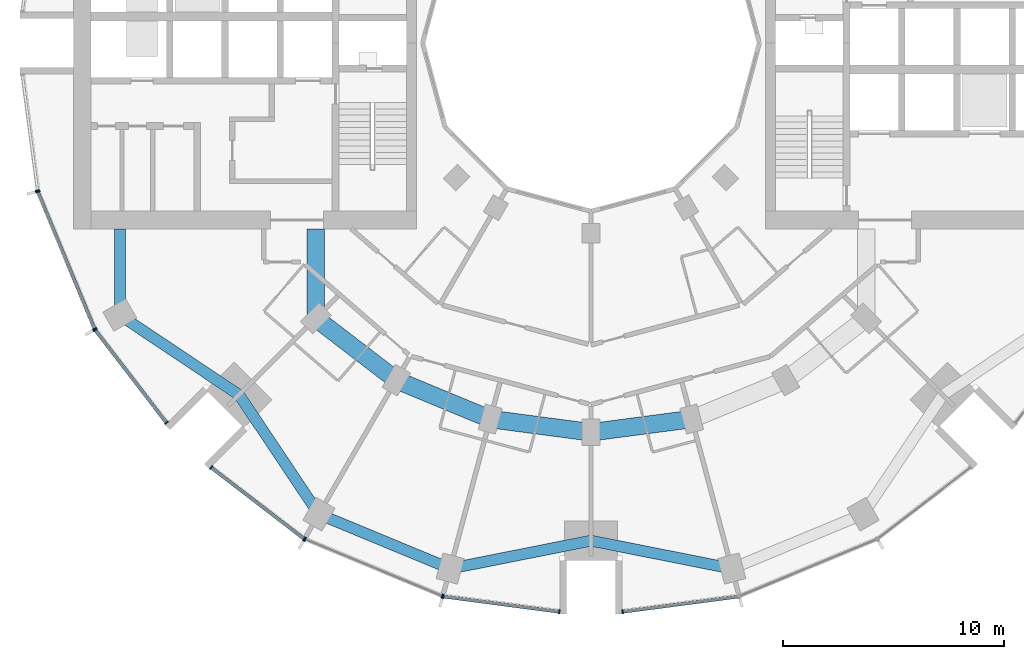
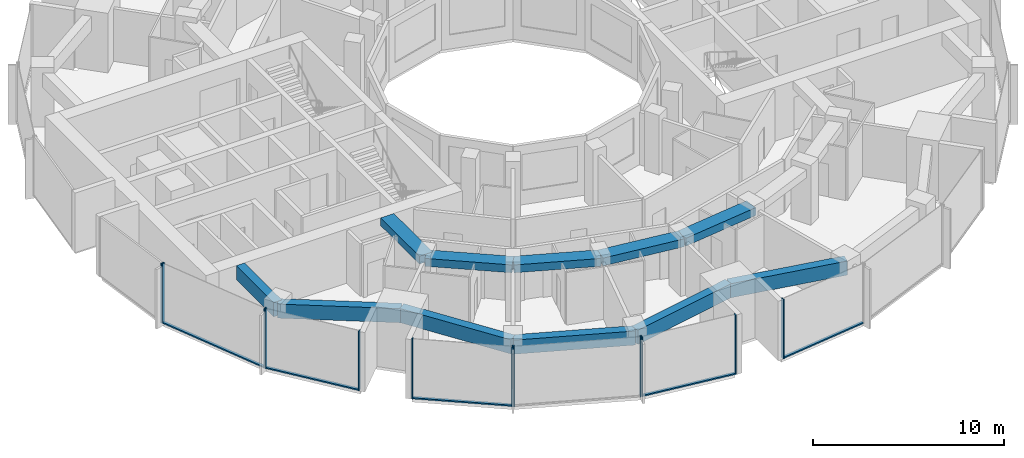
# One storey, part 2 of 15: 17 members, 11 beams, 7 elements without a shape of their own.
"""IFC4 building model written with IfcOpenShell, lengths in metres."""

from ifc_helpers import new_model, si_unit, direction, frame, origin, origin_2d, place, context, subcontext, project, spatial, rectangle, extrude, material, layer, layer_set, material_profile, profile_set, type_object, element, aggregate, save


model = new_model("IFC4")

# Units and contexts
model_context = context("Model", 3, precision=1e-05, world=origin(), true_north=direction((0.0, 1.0)))
body_context = subcontext(model_context, "Body", "Model", "MODEL_VIEW")
ifc_project = project(units=[si_unit("LENGTHUNIT", "METRE"), si_unit("AREAUNIT", "SQUARE_METRE"), si_unit("VOLUMEUNIT", "CUBIC_METRE"), si_unit("PLANEANGLEUNIT", "RADIAN"), si_unit("MASSUNIT", "GRAM", prefix="KILO")], contexts=[model_context])

# Site, building, storey
site_placement = place(None, origin())
site = spatial("IfcSite", under=ifc_project, at=site_placement, CompositionType="ELEMENT")
building_placement = place(site_placement, origin())
building = spatial("IfcBuilding", under=site, at=building_placement, Name="Torre Brocal", CompositionType="ELEMENT")
storey_placement = place(building_placement, frame((0.0, 0.0, 105.199951171875)))
storey = spatial("IfcBuildingStorey", under=building, at=storey_placement, Name="L24", CompositionType="ELEMENT", Elevation=105.199951171875)

# Curtain wall, members
ifc_material_1 = material(Name="Aluminium and glass", Category="aluminium")
ifc_layer_1 = layer(ifc_material_1, 0.199951171875)
ifc_layer_set_1 = layer_set([ifc_layer_1], Name="Aluminium and glass")
curtain_wall_type_1 = type_object("IfcCurtainWallType", Name="CW-1 CURTAIN WALL 3800 HIGH", PredefinedType="NOTDEFINED", material=ifc_layer_set_1)
curtain_wall_1_placement = place(storey_placement, origin())
curtain_wall_1 = element("IfcCurtainWall", 1, at=curtain_wall_1_placement, inside=storey, type_object=curtain_wall_type_1, Name="CW-1 RUN 14", PredefinedType="NOTDEFINED")
ifc_material_2 = material(Name="Aluminium, dark anodised", Category="aluminium")
ifc_material_profile_1 = material_profile(ifc_material_2, rectangle(XDim=0.199951171875, YDim=0.06005859375, at=origin_2d()), Name="CW-1 MULLION 60X200")
ifc_profile_set_1 = profile_set([ifc_material_profile_1], Name="Aluminium, dark anodised")
member_type_1 = type_object("IfcMemberType", Name="CW-1 MULLION 60X200", PredefinedType="MULLION", material=ifc_profile_set_1)
member_1_placement = place(storey_placement, frame((54.994873046875, 68.26904296875, 0.0), z_axis=(0.0, 0.0, 1.0), x_axis=(0.923879532525, 0.382683432333, 0.0)))
member_1 = element("IfcMember", 2, at=member_1_placement, type_object=member_type_1, Name="CW1-1 mullion 1", PredefinedType="MULLION", context=body_context, shape_type="SweptSolid", body=[
    extrude(rectangle(XDim=0.199951171875, YDim=0.06005859375, at=origin_2d()), origin(), (0.0, 0.0, 1.0), 3.800048828125),
])
member_2_placement = place(storey_placement, frame((57.559326171875, 62.078125, 0.0), z_axis=(0.0, 0.0, 1.0), x_axis=(0.923879532525, 0.382683432333, 0.0)))
member_2 = element("IfcMember", 3, at=member_2_placement, type_object=member_type_1, Name="CW1-1 mullion 2", PredefinedType="MULLION", context=body_context, shape_type="SweptSolid", body=[
    extrude(rectangle(XDim=0.199951171875, YDim=0.06005859375, at=origin_2d()), origin(), (0.0, 0.0, 1.0), 3.800048828125),
])

curtain_wall_2_placement = place(storey_placement, origin())
curtain_wall_2 = element("IfcCurtainWall", 4, at=curtain_wall_2_placement, inside=storey, type_object=curtain_wall_type_1, Name="CW-1 RUN 15", PredefinedType="NOTDEFINED")
member_3_placement = place(storey_placement, frame((57.5888671875, 62.026611328125, 0.0), z_axis=(0.0, 0.0, 1.0), x_axis=(0.793353340259, 0.60876142905, 0.0)))
member_3 = element("IfcMember", 5, at=member_3_placement, type_object=member_type_1, Name="CW1-1 mullion 1", PredefinedType="MULLION", context=body_context, shape_type="SweptSolid", body=[
    extrude(rectangle(XDim=0.199951171875, YDim=0.06005859375, at=origin_2d()), origin(), (0.0, 0.0, 1.0), 3.800048828125),
])
member_4_placement = place(storey_placement, frame((60.80859375, 57.83056640625, 0.0), z_axis=(0.0, 0.0, 1.0), x_axis=(0.793353340259, 0.60876142905, 0.0)))
member_4 = element("IfcMember", 6, at=member_4_placement, type_object=member_type_1, Name="CW1-1 mullion 2", PredefinedType="MULLION", context=body_context, shape_type="SweptSolid", body=[
    extrude(rectangle(XDim=0.199951171875, YDim=0.06005859375, at=origin_2d()), origin(), (0.0, 0.0, 1.0), 3.800048828125),
])

curtain_wall_3_placement = place(storey_placement, origin())
curtain_wall_3 = element("IfcCurtainWall", 7, at=curtain_wall_3_placement, inside=storey, type_object=curtain_wall_type_1, Name="CW-1 RUN 16", PredefinedType="NOTDEFINED")
member_5_placement = place(storey_placement, frame((62.83056640625, 55.80859375, 0.0), z_axis=(0.0, 0.0, 1.0), x_axis=(0.60876142905, 0.793353340259, 0.0)))
member_5 = element("IfcMember", 8, at=member_5_placement, type_object=member_type_1, Name="CW1-1 mullion 1", PredefinedType="MULLION", context=body_context, shape_type="SweptSolid", body=[
    extrude(rectangle(XDim=0.199951171875, YDim=0.06005859375, at=origin_2d()), origin(), (0.0, 0.0, 1.0), 3.800048828125),
])
member_6_placement = place(storey_placement, frame((67.026611328125, 52.5888671875, 0.0), z_axis=(0.0, 0.0, 1.0), x_axis=(0.60876142905, 0.793353340259, 0.0)))
member_6 = element("IfcMember", 9, at=member_6_placement, type_object=member_type_1, Name="CW1-1 mullion 2", PredefinedType="MULLION", context=body_context, shape_type="SweptSolid", body=[
    extrude(rectangle(XDim=0.199951171875, YDim=0.06005859375, at=origin_2d()), origin(), (0.0, 0.0, 1.0), 3.800048828125),
])

curtain_wall_4_placement = place(storey_placement, origin())
curtain_wall_4 = element("IfcCurtainWall", 10, at=curtain_wall_4_placement, inside=storey, type_object=curtain_wall_type_1, Name="CW-1 RUN 17", PredefinedType="NOTDEFINED")
member_7_placement = place(storey_placement, frame((67.078125, 52.559326171875, 0.0), z_axis=(0.0, 0.0, 1.0), x_axis=(0.382683432333, 0.923879532525, 0.0)))
member_7 = element("IfcMember", 11, at=member_7_placement, type_object=member_type_1, Name="CW1-1 mullion 1", PredefinedType="MULLION", context=body_context, shape_type="SweptSolid", body=[
    extrude(rectangle(XDim=0.199951171875, YDim=0.06005859375, at=origin_2d()), origin(), (0.0, 0.0, 1.0), 3.800048828125),
])
member_8_placement = place(storey_placement, frame((73.26904296875, 49.994873046875, 0.0), z_axis=(0.0, 0.0, 1.0), x_axis=(0.382683432333, 0.923879532525, 0.0)))
member_8 = element("IfcMember", 12, at=member_8_placement, type_object=member_type_1, Name="CW1-1 mullion 2", PredefinedType="MULLION", context=body_context, shape_type="SweptSolid", body=[
    extrude(rectangle(XDim=0.199951171875, YDim=0.06005859375, at=origin_2d()), origin(), (0.0, 0.0, 1.0), 3.800048828125),
])
aggregate(curtain_wall_4, [member_7, member_8])

curtain_wall_5_placement = place(storey_placement, origin())
curtain_wall_5 = element("IfcCurtainWall", 13, at=curtain_wall_5_placement, inside=storey, type_object=curtain_wall_type_1, Name="CW-1 RUN 18", PredefinedType="NOTDEFINED")
member_9_placement = place(storey_placement, frame((73.32666015625, 49.9794921875, 0.0), z_axis=(0.0, 0.0, 1.0), x_axis=(0.13052619222, 0.991444861374, 0.0)))
member_9 = element("IfcMember", 14, at=member_9_placement, type_object=member_type_1, Name="CW1-1 mullion 1", PredefinedType="MULLION", context=body_context, shape_type="SweptSolid", body=[
    extrude(rectangle(XDim=0.199951171875, YDim=0.06005859375, at=origin_2d()), origin(), (0.0, 0.0, 1.0), 3.800048828125),
])
member_10_placement = place(storey_placement, frame((78.5703125, 49.2890625, 0.0), z_axis=(0.0, 0.0, 1.0), x_axis=(0.13052619222, 0.991444861374, 0.0)))
member_10 = element("IfcMember", 15, at=member_10_placement, type_object=member_type_1, Name="CW1-1 mullion 2", PredefinedType="MULLION", context=body_context, shape_type="SweptSolid", body=[
    extrude(rectangle(XDim=0.199951171875, YDim=0.06005859375, at=origin_2d()), origin(), (0.0, 0.0, 1.0), 3.800048828125),
])

# Curtain wall, member
curtain_wall_6_placement = place(storey_placement, origin())
curtain_wall_6 = element("IfcCurtainWall", 16, at=curtain_wall_6_placement, inside=storey, type_object=curtain_wall_type_1, Name="CW-1 RUN 19", PredefinedType="NOTDEFINED")
member_11_placement = place(storey_placement, frame((81.4296875, 49.2890625, 0.0), z_axis=(0.0, 0.0, 1.0), x_axis=(-0.13052619222, 0.991444861374, 0.0)))
member_11 = element("IfcMember", 17, at=member_11_placement, type_object=member_type_1, Name="CW1-1 mullion 1", PredefinedType="MULLION", context=body_context, shape_type="SweptSolid", body=[
    extrude(rectangle(XDim=0.199951171875, YDim=0.06005859375, at=origin_2d()), origin(), (0.0, 0.0, 1.0), 3.800048828125),
])

# Member
ifc_material_3 = material(Name="Aluminium, dark anodised", Category="aluminium")
ifc_material_profile_2 = material_profile(ifc_material_3, rectangle(XDim=0.159912109375, YDim=0.080078125, at=origin_2d()), Name="CW-1 TRANSOM 160X80")
ifc_profile_set_2 = profile_set([ifc_material_profile_2], Name="Aluminium, dark anodised")
member_type_2 = type_object("IfcMemberType", Name="CW-1 TRANSOM 160X80", PredefinedType="USERDEFINED", material=ifc_profile_set_2)
member_12_placement = place(storey_placement, frame((55.00634765625, 68.241455078125, 0.0400390625), z_axis=(0.38266457234, -0.923887344364, 0.0), x_axis=(0.923887344364, 0.38266457234, 0.0)))
member_12 = element("IfcMember", 18, at=member_12_placement, type_object=member_type_2, Name="CW1-1 transom 1.1", ObjectType="TRANSOM", PredefinedType="USERDEFINED", context=body_context, shape_type="SweptSolid", body=[
    extrude(rectangle(XDim=0.159912109375, YDim=0.080078125, at=origin_2d()), origin(), (0.0, 0.0, 1.0), 6.640869140625),
])

aggregate(curtain_wall_1, [member_1, member_2, member_12])

member_13_placement = place(storey_placement, frame((57.607177734375, 62.0029296875, 0.0400390625), z_axis=(0.60874908096, -0.79336281513, 0.0), x_axis=(0.79336281513, 0.60874908096, 0.0)))
member_13 = element("IfcMember", 19, at=member_13_placement, type_object=member_type_2, Name="CW1-1 transom 1.1", ObjectType="TRANSOM", PredefinedType="USERDEFINED", context=body_context, shape_type="SweptSolid", body=[
    extrude(rectangle(XDim=0.159912109375, YDim=0.080078125, at=origin_2d()), origin(), (0.0, 0.0, 1.0), 5.22900390625),
])

aggregate(curtain_wall_2, [member_3, member_4, member_13])

member_14_placement = place(storey_placement, frame((62.8544921875, 55.790283203125, 0.0400390625), z_axis=(0.79336281513, -0.60874908096, 0.0), x_axis=(0.60874908096, 0.79336281513, 0.0)))
member_14 = element("IfcMember", 20, at=member_14_placement, type_object=member_type_2, Name="CW1-1 transom 1.1", ObjectType="TRANSOM", PredefinedType="USERDEFINED", context=body_context, shape_type="SweptSolid", body=[
    extrude(rectangle(XDim=0.159912109375, YDim=0.080078125, at=origin_2d()), origin(), (0.0, 0.0, 1.0), 5.22900390625),
])

aggregate(curtain_wall_3, [member_5, member_6, member_14])

member_15_placement = place(storey_placement, frame((73.356201171875, 49.9755859375, 0.0400390625), z_axis=(0.991442690863, -0.130542677827, 0.0), x_axis=(0.130542677827, 0.991442690863, 0.0)))
member_15 = element("IfcMember", 21, at=member_15_placement, type_object=member_type_2, Name="CW1-1 transom 1.1", ObjectType="TRANSOM", PredefinedType="USERDEFINED", context=body_context, shape_type="SweptSolid", body=[
    extrude(rectangle(XDim=0.159912109375, YDim=0.080078125, at=origin_2d()), origin(), (0.0, 0.0, 1.0), 5.22900390625),
])

aggregate(curtain_wall_5, [member_9, member_10, member_15])

member_16_placement = place(storey_placement, frame((81.45947265625, 49.29296875, 0.0400390625), z_axis=(0.991442690863, 0.130542677827, 0.0), x_axis=(-0.130542677827, 0.991442690863, 0.0)))
member_16 = element("IfcMember", 22, at=member_16_placement, type_object=member_type_2, Name="CW1-1 transom 1.1", ObjectType="TRANSOM", PredefinedType="USERDEFINED", context=body_context, shape_type="SweptSolid", body=[
    extrude(rectangle(XDim=0.159912109375, YDim=0.080078125, at=origin_2d()), origin(), (0.0, 0.0, 1.0), 5.22900390625),
])

aggregate(curtain_wall_6, [member_11, member_16])

# Curtain wall, member
ifc_material_4 = material(Name="Aluminium and glass", Category="aluminium")
ifc_layer_2 = layer(ifc_material_4, 0.199951171875)
ifc_layer_set_2 = layer_set([ifc_layer_2], Name="Aluminium and glass")
curtain_wall_type_2 = type_object("IfcCurtainWallType", Name="CW-1B CURTAIN WALL 3800 HIGH", PredefinedType="NOTDEFINED", material=ifc_layer_set_2)
curtain_wall_7_placement = place(storey_placement, origin())
curtain_wall_7 = element("IfcCurtainWall", 23, at=curtain_wall_7_placement, inside=storey, type_object=curtain_wall_type_2, Name="CW-1B RUN 13", PredefinedType="NOTDEFINED")
ifc_material_5 = material(Name="Aluminium, dark anodised", Category="aluminium")
ifc_material_profile_3 = material_profile(ifc_material_5, rectangle(XDim=0.199951171875, YDim=0.06005859375, at=origin_2d()), Name="CW-1B MULLION 60X200")
ifc_profile_set_3 = profile_set([ifc_material_profile_3], Name="Aluminium, dark anodised")
member_type_3 = type_object("IfcMemberType", Name="CW-1B MULLION 60X200", PredefinedType="MULLION", material=ifc_profile_set_3)
member_17_placement = place(storey_placement, frame((54.9794921875, 68.32666015625, 0.0), z_axis=(0.0, 0.0, 1.0), x_axis=(0.991444861374, 0.13052619222, 0.0)))
member_17 = element("IfcMember", 24, at=member_17_placement, type_object=member_type_3, Name="CW1B-1 mullion 2", PredefinedType="MULLION", context=body_context, shape_type="SweptSolid", body=[
    extrude(rectangle(XDim=0.199951171875, YDim=0.06005859375, at=origin_2d()), origin(), (0.0, 0.0, 1.0), 3.800048828125),
])
aggregate(curtain_wall_7, [member_17])

# Beams
ifc_material_6 = material(Name="Concrete C50", Category="concrete")
ifc_material_profile_4 = material_profile(ifc_material_6, rectangle(XDim=0.800048828125, YDim=0.5, at=origin_2d()), Name="RC 800X500")
ifc_profile_set_4 = profile_set([ifc_material_profile_4], Name="Concrete C50")
beam_type_1 = type_object("IfcBeamType", Name="RC BEAM 800X500 C50 TOP 3450", PredefinedType="BEAM", material=ifc_profile_set_4)
beam_1_placement = place(storey_placement, frame((67.554931640625, 62.554931640625, 3.199951171875), z_axis=(0.0, 1.0, 0.0), x_axis=(-1.0, 0.0, 0.0)))
element("IfcBeam", 25, at=beam_1_placement, inside=storey, type_object=beam_type_1, Name="Beam BT-25", PredefinedType="BEAM", context=body_context, shape_type="SweptSolid", body=[
    extrude(rectangle(XDim=0.800048828125, YDim=0.5, at=origin_2d()), origin(), (0.0, 0.0, 1.0), 4.045166015625),
])
beam_2_placement = place(storey_placement, frame((67.554931640625, 62.554931640625, 3.199951171875), z_axis=(0.793358265959, -0.6087550097, 0.0), x_axis=(0.6087550097, 0.793358265959, 0.0)))
element("IfcBeam", 26, at=beam_2_placement, inside=storey, type_object=beam_type_1, Name="Beam BT-25", PredefinedType="BEAM", context=body_context, shape_type="SweptSolid", body=[
    extrude(rectangle(XDim=0.800048828125, YDim=0.5, at=origin_2d()), origin(), (0.0, 0.0, 1.0), 4.594482421875),
])
beam_3_placement = place(storey_placement, frame((71.199951171875, 59.758056640625, 3.199951171875), z_axis=(0.923878240166, -0.382686552348, 0.0), x_axis=(0.382686552348, 0.923878240166, 0.0)))
element("IfcBeam", 27, at=beam_3_placement, inside=storey, type_object=beam_type_1, Name="Beam BT-25", PredefinedType="BEAM", context=body_context, shape_type="SweptSolid", body=[
    extrude(rectangle(XDim=0.800048828125, YDim=0.5, at=origin_2d()), origin(), (0.0, 0.0, 1.0), 4.5947265625),
])
for number, where, z_axis, x_axis, name in (
    (28, (75.44482421875, 57.999755859375, 3.199951171875), (0.991440544449, -0.130558978332, 0.0), (0.130558978332, 0.991440544449, 0.0), "Beam BT-25"),
    (29, (80.0, 57.39990234375, 3.199951171875), (0.991440544449, 0.130558978332, 0.0), (-0.130558978332, 0.991440544449, 0.0), "Beam BT-25"),
):
    element("IfcBeam", number, at=place(storey_placement, frame(where, z_axis=z_axis, x_axis=x_axis)), inside=storey, type_object=beam_type_1, Name=name, PredefinedType="BEAM", context=body_context, shape_type="SweptSolid", body=[
        extrude(rectangle(XDim=0.800048828125, YDim=0.5, at=origin_2d()), origin(), (0.0, 0.0, 1.0), 4.594482421875),
    ])
ifc_material_7 = material(Name="Concrete C50", Category="concrete")
ifc_material_profile_5 = material_profile(ifc_material_7, rectangle(XDim=0.5, YDim=0.89990234375, at=origin_2d()), Name="RC 500X900")
ifc_profile_set_5 = profile_set([ifc_material_profile_5], Name="Concrete C50")
beam_type_2 = type_object("IfcBeamType", Name="RC SPANDREL BEAM 500X900 C50 TOP 3450", PredefinedType="SPANDREL", material=ifc_profile_set_5)
beam_4_placement = place(storey_placement, frame((58.69580078125, 62.699951171875, 3.0), z_axis=(0.0, 1.0, 0.0), x_axis=(-1.0, 0.0, 0.0)))
element("IfcBeam", 30, at=beam_4_placement, inside=storey, type_object=beam_type_2, Name="Beam BT-26", PredefinedType="SPANDREL", context=body_context, shape_type="SweptSolid", body=[
    extrude(rectangle(XDim=0.5, YDim=0.89990234375, at=origin_2d()), origin(), (0.0, 0.0, 1.0), 3.900146484375),
])
for number, where, z_axis, x_axis, name in (
    (31, (58.69580078125, 62.699951171875, 3.0), (0.831076844476, -0.556157602282, 0.0), (0.556157602282, 0.831076844476, 0.0), "Beam BT-26"),
    (32, (64.090087890625, 59.090087890625, 3.0), (0.556157602282, -0.831076844476, 0.0), (0.831076844476, 0.556157602282, 0.0), "Beam BT-26"),
):
    element("IfcBeam", number, at=place(storey_placement, frame(where, z_axis=z_axis, x_axis=x_axis)), inside=storey, type_object=beam_type_2, Name=name, PredefinedType="SPANDREL", context=body_context, shape_type="SweptSolid", body=[
        extrude(rectangle(XDim=0.5, YDim=0.89990234375, at=origin_2d()), origin(), (0.0, 0.0, 1.0), 6.49072265625),
    ])
beam_5_placement = place(storey_placement, frame((67.699951171875, 53.69580078125, 3.0), z_axis=(0.923882462513, -0.382676358639, 0.0), x_axis=(0.382676358639, 0.923882462513, 0.0)))
element("IfcBeam", 33, at=beam_5_placement, inside=storey, type_object=beam_type_2, Name="Beam BT-26", PredefinedType="SPANDREL", context=body_context, shape_type="SweptSolid", body=[
    extrude(rectangle(XDim=0.5, YDim=0.89990234375, at=origin_2d()), origin(), (0.0, 0.0, 1.0), 6.421875),
])
for number, where, z_axis, x_axis, name in (
    (34, (73.633056640625, 51.23828125, 3.0), (0.980924907484, 0.194387051723, 0.0), (-0.194387051723, 0.980924907484, 0.0), "Beam BT-26"),
    (35, (80.0, 52.5, 3.0), (0.980924907484, -0.194387051723, 0.0), (0.194387051723, 0.980924907484, 0.0), "Beam BT-26"),
):
    element("IfcBeam", number, at=place(storey_placement, frame(where, z_axis=z_axis, x_axis=x_axis)), inside=storey, type_object=beam_type_2, Name=name, PredefinedType="SPANDREL", context=body_context, shape_type="SweptSolid", body=[
        extrude(rectangle(XDim=0.5, YDim=0.89990234375, at=origin_2d()), origin(), (0.0, 0.0, 1.0), 6.49072265625),
    ])

save(model, "model.ifc")
